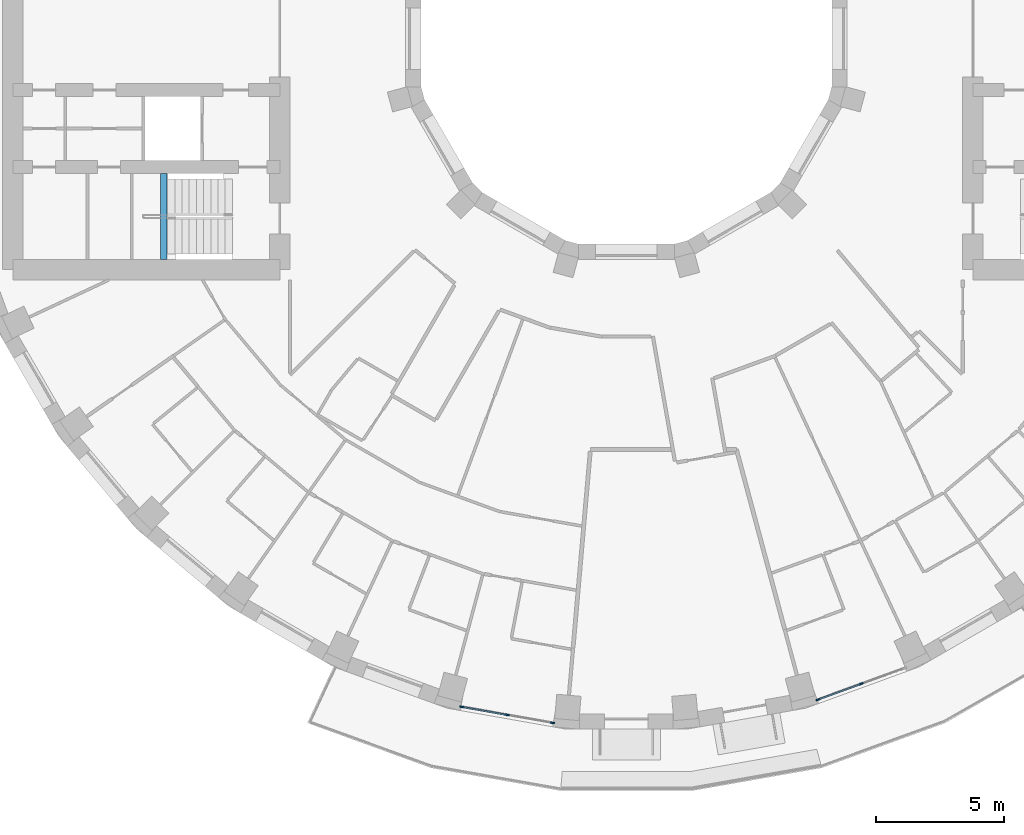
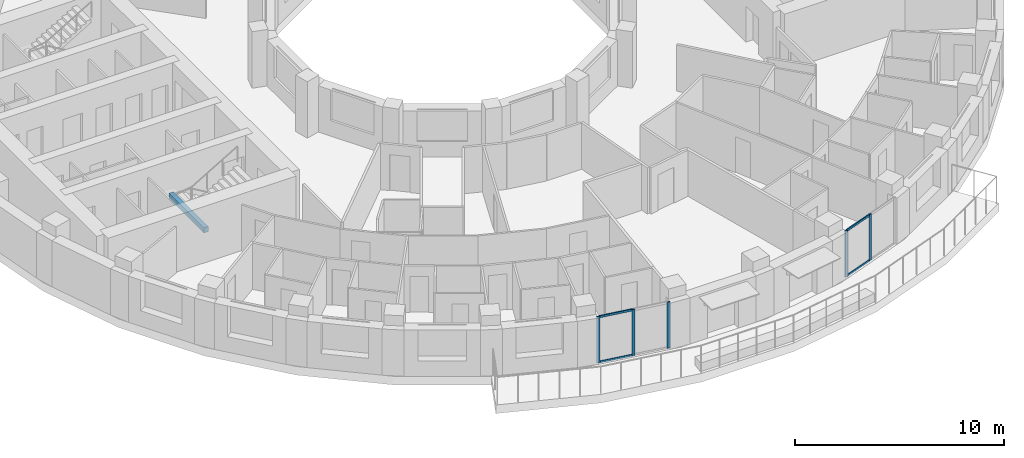
# One storey, part 2 of 16: 9 members, 1 beam, 2 elements without a shape of their own.
"""IFC4 building model written with IfcOpenShell, lengths in metres."""

from ifc_helpers import new_model, si_unit, direction, frame, origin, origin_2d, place, context, subcontext, project, spatial, rectangle, extrude, material, layer, layer_set, material_profile, profile_set, type_object, element, aggregate, save


model = new_model("IFC4")

# Units and contexts
model_context = context("Model", 3, precision=1e-05, world=origin(), true_north=direction((0.0, 1.0)))
body_context = subcontext(model_context, "Body", "Model", "MODEL_VIEW")
ifc_project = project(units=[si_unit("LENGTHUNIT", "METRE"), si_unit("AREAUNIT", "SQUARE_METRE"), si_unit("VOLUMEUNIT", "CUBIC_METRE"), si_unit("PLANEANGLEUNIT", "RADIAN"), si_unit("MASSUNIT", "GRAM", prefix="KILO")], contexts=[model_context])

# Site, building, storey
site_placement = place(None, origin())
site = spatial("IfcSite", under=ifc_project, at=site_placement, CompositionType="ELEMENT")
building_placement = place(site_placement, origin())
building = spatial("IfcBuilding", under=site, at=building_placement, Name="Saqina Gate Tower", CompositionType="ELEMENT")
storey_placement = place(building_placement, frame((0.0, 0.0, 148.0)))
storey = spatial("IfcBuildingStorey", under=building, at=storey_placement, Name="L42", CompositionType="ELEMENT", Elevation=148.0)

# Curtain wall, members
ifc_material_1 = material(Name="Aluminium glazing", Category="aluminium")
ifc_layer = layer(ifc_material_1, 0.159912109375)
ifc_layer_set = layer_set([ifc_layer], Name="CWT-4")
curtain_wall_type = type_object("IfcCurtainWallType", Name="CWT-4", PredefinedType="NOTDEFINED", material=ifc_layer_set)
curtain_wall_1_placement = place(storey_placement, origin())
curtain_wall_1 = element("IfcCurtainWall", 1, at=curtain_wall_1_placement, inside=storey, type_object=curtain_wall_type, Name="Terrace lounge glazing facet 26", PredefinedType="NOTDEFINED")
ifc_material_2 = material(Name="Aluminium", Category="aluminium")
ifc_material_profile_1 = material_profile(ifc_material_2, rectangle(XDim=0.06005859375, YDim=0.159912109375, at=origin_2d()), Name="Aluminium 60x160")
ifc_profile_set_1 = profile_set([ifc_material_profile_1], Name="Aluminium")
member_type_1 = type_object("IfcMemberType", Name="CWT-4M", PredefinedType="MULLION", material=ifc_profile_set_1)
member_1_placement = place(storey_placement, frame((-6.411376953125, -26.029296875, 0.0), z_axis=(0.0, 0.0, 1.0), x_axis=(0.17363832834, 0.984809489664, 0.0)))
member_1 = element("IfcMember", 2, at=member_1_placement, type_object=member_type_1, Name="CW4-26 mullion 1", PredefinedType="MULLION", context=body_context, shape_type="SweptSolid", body=[
    extrude(rectangle(XDim=0.06005859375, YDim=0.159912109375, at=origin_2d()), origin(), (0.0, 0.0, 1.0), 2.699951171875),
])
member_2_placement = place(storey_placement, frame((-4.64453125, -26.3408203125, 0.0), z_axis=(0.0, 0.0, 1.0), x_axis=(0.17363832834, 0.984809489664, 0.0)))
member_2 = element("IfcMember", 3, at=member_2_placement, type_object=member_type_1, Name="CW4-26 mullion 2", PredefinedType="MULLION", context=body_context, shape_type="SweptSolid", body=[
    extrude(rectangle(XDim=0.06005859375, YDim=0.159912109375, at=origin_2d()), origin(), (0.0, 0.0, 1.0), 2.699951171875),
])
member_3_placement = place(storey_placement, frame((-2.8779296875, -26.65234375, 0.0), z_axis=(0.0, 0.0, 1.0), x_axis=(0.17363832834, 0.984809489664, 0.0)))
member_3 = element("IfcMember", 4, at=member_3_placement, type_object=member_type_1, Name="CW4-26 mullion 3", PredefinedType="MULLION", context=body_context, shape_type="SweptSolid", body=[
    extrude(rectangle(XDim=0.06005859375, YDim=0.159912109375, at=origin_2d()), origin(), (0.0, 0.0, 1.0), 2.699951171875),
])

curtain_wall_2_placement = place(storey_placement, origin())
curtain_wall_2 = element("IfcCurtainWall", 5, at=curtain_wall_2_placement, inside=storey, type_object=curtain_wall_type, Name="Terrace lounge glazing facet 29", PredefinedType="NOTDEFINED")
member_4_placement = place(storey_placement, frame((7.46240234375, -25.747802734375, 0.0), z_axis=(0.0, 0.0, 1.0), x_axis=(-0.342015987197, 0.939694133483, 0.0)))
member_4 = element("IfcMember", 6, at=member_4_placement, type_object=member_type_1, Name="CW4-29 mullion 1", PredefinedType="MULLION", context=body_context, shape_type="SweptSolid", body=[
    extrude(rectangle(XDim=0.06005859375, YDim=0.159912109375, at=origin_2d()), origin(), (0.0, 0.0, 1.0), 2.699951171875),
])
member_5_placement = place(storey_placement, frame((9.148193359375, -25.13427734375, 0.0), z_axis=(0.0, 0.0, 1.0), x_axis=(-0.342015987197, 0.939694133483, 0.0)))
member_5 = element("IfcMember", 7, at=member_5_placement, type_object=member_type_1, Name="CW4-29 mullion 2", PredefinedType="MULLION", context=body_context, shape_type="SweptSolid", body=[
    extrude(rectangle(XDim=0.06005859375, YDim=0.159912109375, at=origin_2d()), origin(), (0.0, 0.0, 1.0), 2.699951171875),
])

# Member
ifc_material_3 = material(Name="Aluminium", Category="aluminium")
ifc_material_profile_2 = material_profile(ifc_material_3, rectangle(XDim=0.06005859375, YDim=0.1201171875, at=origin_2d()), Name="Aluminium 60x120")
ifc_profile_set_2 = profile_set([ifc_material_profile_2], Name="Aluminium")
member_type_2 = type_object("IfcMemberType", Name="CWT-4T", PredefinedType="USERDEFINED", material=ifc_profile_set_2)
member_6_placement = place(storey_placement, frame((-6.381591796875, -26.03466796875, 0.030029296875), z_axis=(0.98481331257, -0.173616644895, 0.0), x_axis=(0.173616644895, 0.98481331257, 0.0)))
member_6 = element("IfcMember", 8, at=member_6_placement, type_object=member_type_2, Name="CW4-26 transom 1.1", ObjectType="TRANSOM", PredefinedType="USERDEFINED", context=body_context, shape_type="SweptSolid", body=[
    extrude(rectangle(XDim=0.06005859375, YDim=0.1201171875, at=origin_2d()), origin(), (0.0, 0.0, 1.0), 1.73388671875),
])

member_7_placement = place(storey_placement, frame((-6.381591796875, -26.03466796875, 2.669921875), z_axis=(0.98481331257, -0.173616644895, 0.0), x_axis=(0.173616644895, 0.98481331257, 0.0)))
member_7 = element("IfcMember", 9, at=member_7_placement, type_object=member_type_2, Name="CW4-26 transom 1.2", ObjectType="TRANSOM", PredefinedType="USERDEFINED", context=body_context, shape_type="SweptSolid", body=[
    extrude(rectangle(XDim=0.06005859375, YDim=0.1201171875, at=origin_2d()), origin(), (0.0, 0.0, 1.0), 1.73388671875),
])

aggregate(curtain_wall_1, [member_1, member_2, member_3, member_6, member_7])

member_8_placement = place(storey_placement, frame((7.490478515625, -25.737548828125, 0.030029296875), z_axis=(0.93969883573, 0.342003067424, 0.0), x_axis=(-0.342003067424, 0.93969883573, 0.0)))
member_8 = element("IfcMember", 10, at=member_8_placement, type_object=member_type_2, Name="CW4-29 transom 1.1", ObjectType="TRANSOM", PredefinedType="USERDEFINED", context=body_context, shape_type="SweptSolid", body=[
    extrude(rectangle(XDim=0.06005859375, YDim=0.1201171875, at=origin_2d()), origin(), (0.0, 0.0, 1.0), 1.73388671875),
])

member_9_placement = place(storey_placement, frame((7.490478515625, -25.737548828125, 2.669921875), z_axis=(0.93969883573, 0.342003067424, 0.0), x_axis=(-0.342003067424, 0.93969883573, 0.0)))
member_9 = element("IfcMember", 11, at=member_9_placement, type_object=member_type_2, Name="CW4-29 transom 1.2", ObjectType="TRANSOM", PredefinedType="USERDEFINED", context=body_context, shape_type="SweptSolid", body=[
    extrude(rectangle(XDim=0.06005859375, YDim=0.1201171875, at=origin_2d()), origin(), (0.0, 0.0, 1.0), 1.73388671875),
])

aggregate(curtain_wall_2, [member_4, member_5, member_8, member_9])

# Beam
ifc_material_4 = material(Name="Concrete C40/50", Category="concrete")
ifc_material_profile_3 = material_profile(ifc_material_4, rectangle(XDim=0.25, YDim=0.300048828125, at=origin_2d()), Name="STAIR LANDING BEAM")
ifc_profile_set_3 = profile_set([ifc_material_profile_3], Name="Concrete C40/50")
beam_type = type_object("IfcBeamType", Name="STAIR LANDING BEAM", PredefinedType="BEAM", material=ifc_profile_set_3)
beam_placement = place(storey_placement, frame((-18.02001953125, -8.60009765625, 1.25), z_axis=(0.0, 1.0, 0.0), x_axis=(-1.0, 0.0, 0.0)))
element("IfcBeam", 12, at=beam_placement, inside=storey, type_object=beam_type, Name="EXIT STAIR 4 LANDING BEAM", PredefinedType="BEAM", context=body_context, shape_type="SweptSolid", body=[
    extrude(rectangle(XDim=0.25, YDim=0.300048828125, at=origin_2d()), origin(), (0.0, 0.0, 1.0), 3.35009765625),
])

save(model, "model.ifc")
